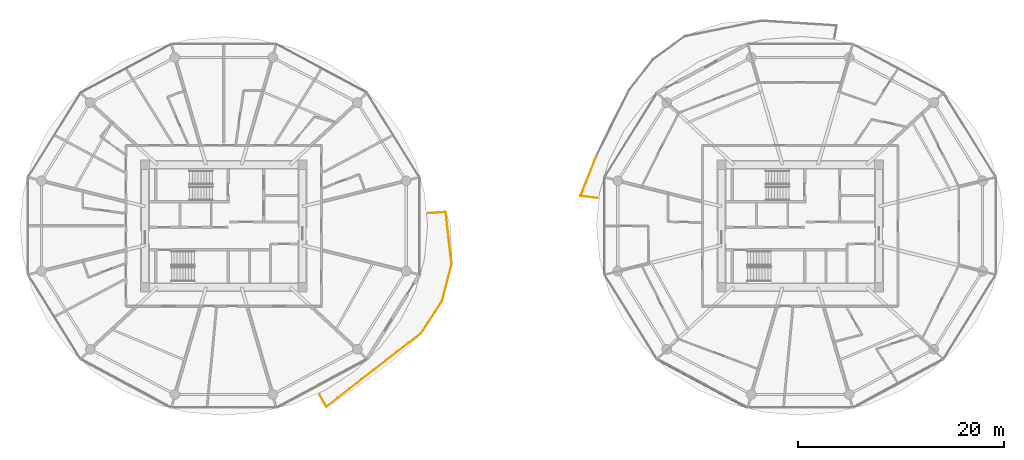
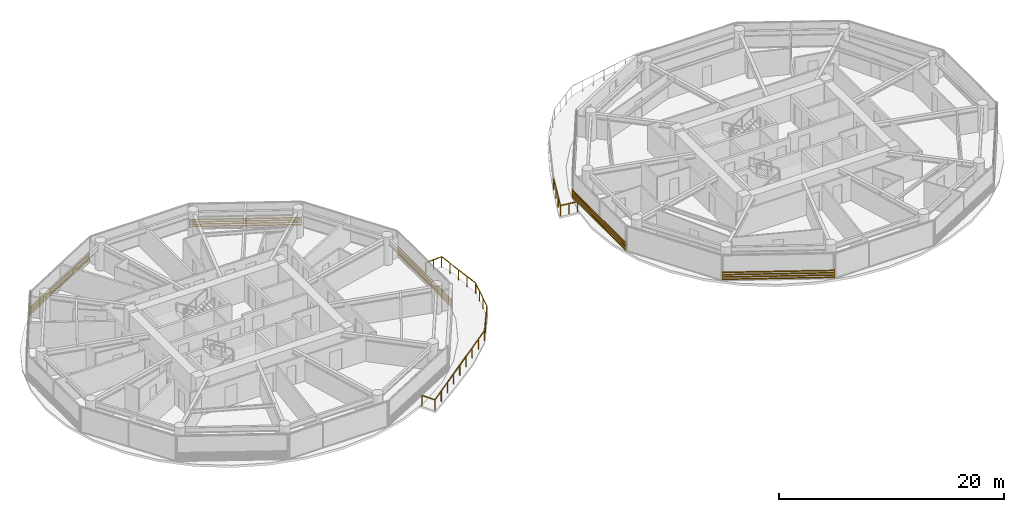
# One storey, part 24 of 26: 5 shading devices, 3 railings.
"""IFC4 building model written with IfcOpenShell, lengths in metres."""

from ifc_helpers import new_model, si_unit, direction, frame, origin, origin_2d, place, context, subcontext, project, spatial, rectangle, extrude, source, transform, mapped, material, type_object, type_shapes, element, save


model = new_model("IFC4")

# Units and contexts
model_context = context("Model", 3, precision=1e-05, world=origin(), true_north=direction((0.0, 1.0)))
body_context = subcontext(model_context, "Body", "Model", "MODEL_VIEW")
ifc_project = project(units=[si_unit("LENGTHUNIT", "METRE"), si_unit("AREAUNIT", "SQUARE_METRE"), si_unit("VOLUMEUNIT", "CUBIC_METRE"), si_unit("PLANEANGLEUNIT", "RADIAN"), si_unit("MASSUNIT", "GRAM", prefix="KILO")], contexts=[model_context])

# Site, building, storey
site_placement = place(None, origin())
site = spatial("IfcSite", under=ifc_project, at=site_placement, CompositionType="ELEMENT")
building_placement = place(site_placement, origin())
building = spatial("IfcBuilding", under=site, at=building_placement, Name="Norrkilde Senior Care Towers", CompositionType="ELEMENT")
storey_placement = place(building_placement, frame((0.0, 0.0, 64.300048828125)))
storey = spatial("IfcBuildingStorey", under=building, at=storey_placement, Name="L19", CompositionType="ELEMENT", Elevation=64.300048828125)

# Railings
ifc_material_1 = material(Name="Anodised Aluminium", Category="aluminium")
railing_type = type_object("IfcRailingType", Name="Balcony Swirl Ribbon Guardrail 1150", PredefinedType="GUARDRAIL", material=ifc_material_1)
railing_1_placement = place(storey_placement, frame((8.273681640625, 2.70263671875, 0.0)))
element("IfcRailing", 1, at=railing_1_placement, inside=storey, type_object=railing_type, Name="L19 Perimeter Safety Guard 02", PredefinedType="GUARDRAIL", context=body_context, shape_type="SweptSolid", body=[
    extrude(rectangle(XDim=0.048095703125, YDim=0.048095703125, at=origin_2d()), frame((0.0, 0.0, 1.1259765625), z_axis=(-0.991284096343, 0.131741566478, 0.0), x_axis=(-0.131741566478, -0.991284096343, 0.0)), (0.0, 0.0, 1.0), 1.588134765625),
    extrude(rectangle(XDim=0.048095703125, YDim=0.048095703125, at=origin_2d()), frame((-1.599609375, 0.252685546875, 1.1259765625), z_axis=(0.369772613197, 0.929122281796, 0.0), x_axis=(-0.929122281796, 0.369772613197, 0.0)), (0.0, 0.0, 1.0), 4.096923828125),
    extrude(rectangle(XDim=0.0419921875, YDim=0.0419921875, at=origin_2d()), origin(), (0.0, 0.0, 1.0), 1.099853515625),
    extrude(rectangle(XDim=0.0419921875, YDim=0.0419921875, at=origin_2d()), frame((-0.807373046875, 0.107421875, 0.0)), (0.0, 0.0, 1.0), 1.099853515625),
    extrude(rectangle(XDim=0.0419921875, YDim=0.0419921875, at=origin_2d()), frame((-1.61474609375, 0.214599609375, 0.0)), (0.0, 0.0, 1.0), 1.099853515625),
    extrude(rectangle(XDim=0.0419921875, YDim=0.0419921875, at=origin_2d()), frame((-1.104736328125, 1.49609375, 0.0)), (0.0, 0.0, 1.0), 1.099853515625),
    extrude(rectangle(XDim=0.0419921875, YDim=0.0419921875, at=origin_2d()), frame((-0.5947265625, 2.777587890625, 0.0)), (0.0, 0.0, 1.0), 1.099853515625),
    extrude(rectangle(XDim=0.0419921875, YDim=0.0419921875, at=origin_2d()), frame((-0.084716796875, 4.05908203125, 0.0)), (0.0, 0.0, 1.0), 1.099853515625),
])
railing_2_placement = place(storey_placement, frame((-8.841552734375, -10.435791015625, 0.0)))
element("IfcRailing", 2, at=railing_2_placement, inside=storey, type_object=railing_type, Name="L19 Perimeter Safety Guard 03", PredefinedType="GUARDRAIL", context=body_context, shape_type="SweptSolid", body=[
    extrude(rectangle(XDim=0.048095703125, YDim=0.048095703125, at=origin_2d()), frame((0.0, 0.0, 1.1259765625), z_axis=(-0.790211503816, -0.612834218396, 0.0), x_axis=(0.612834218396, -0.790211503816, 0.0)), (0.0, 0.0, 1.0), 11.591064453125),
    extrude(rectangle(XDim=0.048095703125, YDim=0.048095703125, at=origin_2d()), frame((-9.211669921875, -7.0927734375, 1.1259765625), z_axis=(-0.490201077648, 0.871609375508, 0.0), x_axis=(-0.871609375508, -0.490201077648, 0.0)), (0.0, 0.0, 1.0), 1.307861328125),
    extrude(rectangle(XDim=0.0419921875, YDim=0.0419921875, at=origin_2d()), origin(), (0.0, 0.0, 1.0), 1.099853515625),
    extrude(rectangle(XDim=0.0419921875, YDim=0.0419921875, at=origin_2d()), frame((-1.14892578125, -0.89111328125, 0.0)), (0.0, 0.0, 1.0), 1.099853515625),
    extrude(rectangle(XDim=0.0419921875, YDim=0.0419921875, at=origin_2d()), frame((-2.2978515625, -1.7822265625, 0.0)), (0.0, 0.0, 1.0), 1.099853515625),
    extrude(rectangle(XDim=0.0419921875, YDim=0.0419921875, at=origin_2d()), frame((-3.44677734375, -2.673095703125, 0.0)), (0.0, 0.0, 1.0), 1.099853515625),
    extrude(rectangle(XDim=0.0419921875, YDim=0.0419921875, at=origin_2d()), frame((-4.595703125, -3.564208984375, 0.0)), (0.0, 0.0, 1.0), 1.099853515625),
    extrude(rectangle(XDim=0.0419921875, YDim=0.0419921875, at=origin_2d()), frame((-5.744873046875, -4.455322265625, 0.0)), (0.0, 0.0, 1.0), 1.099853515625),
    extrude(rectangle(XDim=0.0419921875, YDim=0.0419921875, at=origin_2d()), frame((-6.893798828125, -5.34619140625, 0.0)), (0.0, 0.0, 1.0), 1.099853515625),
    extrude(rectangle(XDim=0.0419921875, YDim=0.0419921875, at=origin_2d()), frame((-8.042724609375, -6.2373046875, 0.0)), (0.0, 0.0, 1.0), 1.099853515625),
    extrude(rectangle(XDim=0.0419921875, YDim=0.0419921875, at=origin_2d()), frame((-9.191650390625, -7.12841796875, 0.0)), (0.0, 0.0, 1.0), 1.099853515625),
    extrude(rectangle(XDim=0.0419921875, YDim=0.0419921875, at=origin_2d()), frame((-9.852783203125, -5.952880859375, 0.0)), (0.0, 0.0, 1.0), 1.099853515625),
])
railing_3_placement = place(storey_placement, frame((-8.13525390625, 1.233642578125, 0.0)))
element("IfcRailing", 3, at=railing_3_placement, inside=storey, type_object=railing_type, Name="L19 Perimeter Safety Guard 04", PredefinedType="GUARDRAIL", context=body_context, shape_type="SweptSolid", body=[
    extrude(rectangle(XDim=0.048095703125, YDim=0.048095703125, at=origin_2d()), frame((0.0, 0.0, 1.1259765625), z_axis=(0.997825722003, 0.065907727239, 0.0), x_axis=(-0.065907727239, 0.997825722003, 0.0)), (0.0, 0.0, 1.0), 1.65576171875),
    extrude(rectangle(XDim=0.048095703125, YDim=0.048095703125, at=origin_2d()), frame((1.697509765625, 0.0712890625, 1.1259765625), z_axis=(0.114148161884, -0.993463737204, 0.0), x_axis=(0.993463737204, 0.114148161884, 0.0)), (0.0, 0.0, 1.0), 5.0),
    extrude(rectangle(XDim=0.048095703125, YDim=0.048095703125, at=origin_2d()), frame((2.2626953125, -4.976318359375, 1.1259765625), z_axis=(-0.250766434135, -0.968047620477, 0.0), x_axis=(0.968047620477, -0.250766434135, 0.0)), (0.0, 0.0, 1.0), 3.64111328125),
    extrude(rectangle(XDim=0.048095703125, YDim=0.048095703125, at=origin_2d()), frame((1.31689453125, -8.574951171875, 1.1259765625), z_axis=(-0.547247603285, -0.836970764542, 0.0), x_axis=(0.836970764542, -0.547247603285, 0.0)), (0.0, 0.0, 1.0), 3.697265625),
    extrude(rectangle(XDim=0.0419921875, YDim=0.0419921875, at=origin_2d()), origin(), (0.0, 0.0, 1.0), 1.099853515625),
    extrude(rectangle(XDim=0.0419921875, YDim=0.0419921875, at=origin_2d()), frame((0.846435546875, 0.055908203125, 0.0)), (0.0, 0.0, 1.0), 1.099853515625),
    extrude(rectangle(XDim=0.0419921875, YDim=0.0419921875, at=origin_2d()), frame((1.69287109375, 0.11181640625, 0.0)), (0.0, 0.0, 1.0), 1.099853515625),
    extrude(rectangle(XDim=0.0419921875, YDim=0.0419921875, at=origin_2d()), frame((1.837890625, -1.150390625, 0.0)), (0.0, 0.0, 1.0), 1.099853515625),
    extrude(rectangle(XDim=0.0419921875, YDim=0.0419921875, at=origin_2d()), frame((1.98291015625, -2.41259765625, 0.0)), (0.0, 0.0, 1.0), 1.099853515625),
    extrude(rectangle(XDim=0.0419921875, YDim=0.0419921875, at=origin_2d()), frame((2.1279296875, -3.674560546875, 0.0)), (0.0, 0.0, 1.0), 1.099853515625),
    extrude(rectangle(XDim=0.0419921875, YDim=0.0419921875, at=origin_2d()), frame((2.27294921875, -4.936767578125, 0.0)), (0.0, 0.0, 1.0), 1.099853515625),
    extrude(rectangle(XDim=0.0419921875, YDim=0.0419921875, at=origin_2d()), frame((1.961669921875, -6.13818359375, 0.0)), (0.0, 0.0, 1.0), 1.099853515625),
    extrude(rectangle(XDim=0.0419921875, YDim=0.0419921875, at=origin_2d()), frame((1.650634765625, -7.33935546875, 0.0)), (0.0, 0.0, 1.0), 1.099853515625),
    extrude(rectangle(XDim=0.0419921875, YDim=0.0419921875, at=origin_2d()), frame((1.33935546875, -8.540771484375, 0.0)), (0.0, 0.0, 1.0), 1.099853515625),
    extrude(rectangle(XDim=0.0419921875, YDim=0.0419921875, at=origin_2d()), frame((0.657470703125, -9.583740234375, 0.0)), (0.0, 0.0, 1.0), 1.099853515625),
    extrude(rectangle(XDim=0.0419921875, YDim=0.0419921875, at=origin_2d()), frame((-0.0244140625, -10.62646484375, 0.0)), (0.0, 0.0, 1.0), 1.099853515625),
    extrude(rectangle(XDim=0.0419921875, YDim=0.0419921875, at=origin_2d()), frame((-0.706298828125, -11.66943359375, 0.0)), (0.0, 0.0, 1.0), 1.099853515625),
])

# Shading devices
ifc_material_2 = material(Name="Architectural Terracotta", Category="masonry")
shading_device_type = type_object("IfcShadingDeviceType", Name="Horizontal Terracotta Baguette Rack", PredefinedType="USERDEFINED", material=ifc_material_2)
shared_shape_1 = source(origin(), body_context, "Body", "SweptSolid", [
    extrude(rectangle(XDim=0.070068359375, YDim=0.110107421875, at=origin_2d()), frame((0.0, 0.090087890625, 0.125), z_axis=(1.0, 0.0, 0.0), x_axis=(0.0, 1.0, 0.0)), (0.0, 0.0, 1.0), 10.0107421875),
    extrude(rectangle(XDim=0.070068359375, YDim=0.110107421875, at=origin_2d()), frame((0.0, 0.090087890625, 0.375), z_axis=(1.0, 0.0, 0.0), x_axis=(0.0, 1.0, 0.0)), (0.0, 0.0, 1.0), 10.0107421875),
    extrude(rectangle(XDim=0.070068359375, YDim=0.110107421875, at=origin_2d()), frame((0.0, 0.090087890625, 0.625), z_axis=(1.0, 0.0, 0.0), x_axis=(0.0, 1.0, 0.0)), (0.0, 0.0, 1.0), 10.0107421875),
    extrude(rectangle(XDim=0.070068359375, YDim=0.110107421875, at=origin_2d()), frame((0.0, 0.090087890625, 0.875), z_axis=(1.0, 0.0, 0.0), x_axis=(0.0, 1.0, 0.0)), (0.0, 0.0, 1.0), 10.0107421875),
    extrude(rectangle(XDim=0.050048828125, YDim=0.1552734375, at=origin_2d()), frame((0.02490234375, 0.047607421875, 0.0)), (0.0, 0.0, 1.0), 1.0),
    extrude(rectangle(XDim=0.050048828125, YDim=0.1552734375, at=origin_2d()), frame((9.98583984375, 0.047607421875, 0.0)), (0.0, 0.0, 1.0), 1.0),
])
for number, where, z_axis, x_axis, name in (
    (4, (-22.906494140625, 17.6572265625, 0.079833984375), (0.0, 0.0, 1.0), (0.881279875134, -0.472612428056, 0.0), "L19 Drum W Terracotta Baguette Screen 01"),
    (5, (-41.915771484375, 12.926025390625, 0.079833984375), (0.0, 0.0, 1.0), (0.881279875134, 0.472612428056, 0.0), "L19 Drum W Terracotta Baguette Screen 03"),
    (6, (22.906494140625, -17.6572265625, 0.079833984375), (0.0, 0.0, 1.0), (-0.881279875134, 0.472612428056, 0.0), "L19 Drum E Terracotta Baguette Screen 07"),
):
    element("IfcShadingDevice", number, at=place(storey_placement, frame(where, z_axis=z_axis, x_axis=x_axis)), inside=storey, type_object=shading_device_type, Name=name, ObjectType="BAGUETTE", PredefinedType="USERDEFINED", context=body_context, shape_type="MappedRepresentation", body=[
        mapped(shared_shape_1, transform((0.0, 0.0, 0.0), x_axis=(1.0, 0.0, 0.0), y_axis=(0.0, 1.0, 0.0), z_axis=(0.0, 0.0, 1.0), scale=1.0)),
    ])
shared_shape_2 = source(origin(), body_context, "Body", "SweptSolid", [
    extrude(rectangle(XDim=0.070068359375, YDim=0.110107421875, at=origin_2d()), frame((0.0, 0.090087890625, 0.125), z_axis=(1.0, 0.0, 0.0), x_axis=(0.0, 1.0, 0.0)), (0.0, 0.0, 1.0), 9.46240234375),
    extrude(rectangle(XDim=0.070068359375, YDim=0.110107421875, at=origin_2d()), frame((0.0, 0.090087890625, 0.375), z_axis=(1.0, 0.0, 0.0), x_axis=(0.0, 1.0, 0.0)), (0.0, 0.0, 1.0), 9.46240234375),
    extrude(rectangle(XDim=0.070068359375, YDim=0.110107421875, at=origin_2d()), frame((0.0, 0.090087890625, 0.625), z_axis=(1.0, 0.0, 0.0), x_axis=(0.0, 1.0, 0.0)), (0.0, 0.0, 1.0), 9.46240234375),
    extrude(rectangle(XDim=0.070068359375, YDim=0.110107421875, at=origin_2d()), frame((0.0, 0.090087890625, 0.875), z_axis=(1.0, 0.0, 0.0), x_axis=(0.0, 1.0, 0.0)), (0.0, 0.0, 1.0), 9.46240234375),
    extrude(rectangle(XDim=0.050048828125, YDim=0.1552734375, at=origin_2d()), frame((0.02490234375, 0.047607421875, 0.0)), (0.0, 0.0, 1.0), 1.0),
    extrude(rectangle(XDim=0.050048828125, YDim=0.1552734375, at=origin_2d()), frame((9.4375, 0.047607421875, 0.0)), (0.0, 0.0, 1.0), 1.0),
])
type_shapes(shading_device_type, [shared_shape_1, shared_shape_2])
for number, where, z_axis, x_axis, name in (
    (7, (-8.990478515625, 4.731201171875, 0.079833984375), (0.0, 0.0, 1.0), (0.0, -1.0, 0.0), "L19 Drum W Terracotta Baguette Screen 11"),
    (8, (8.990478515625, -4.731201171875, 0.079833984375), (0.0, 0.0, 1.0), (0.0, 1.0, 0.0), "L19 Drum E Terracotta Baguette Screen 05"),
):
    element("IfcShadingDevice", number, at=place(storey_placement, frame(where, z_axis=z_axis, x_axis=x_axis)), inside=storey, type_object=shading_device_type, Name=name, ObjectType="BAGUETTE", PredefinedType="USERDEFINED", context=body_context, shape_type="MappedRepresentation", body=[
        mapped(shared_shape_2, transform((0.0, 0.0, 0.0), x_axis=(1.0, 0.0, 0.0), y_axis=(0.0, 1.0, 0.0), z_axis=(0.0, 0.0, 1.0), scale=1.0)),
    ])

save(model, "model.ifc")
